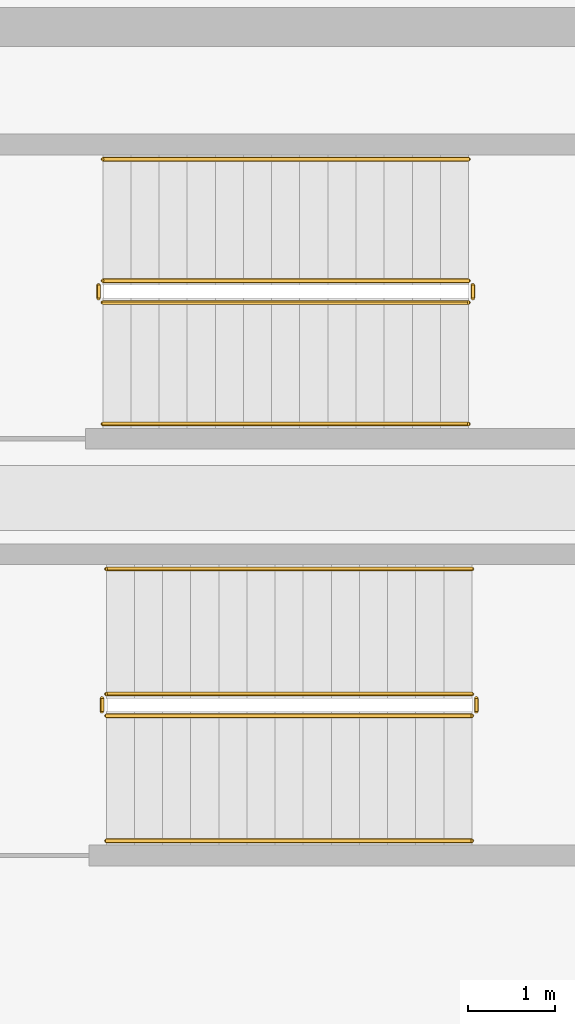
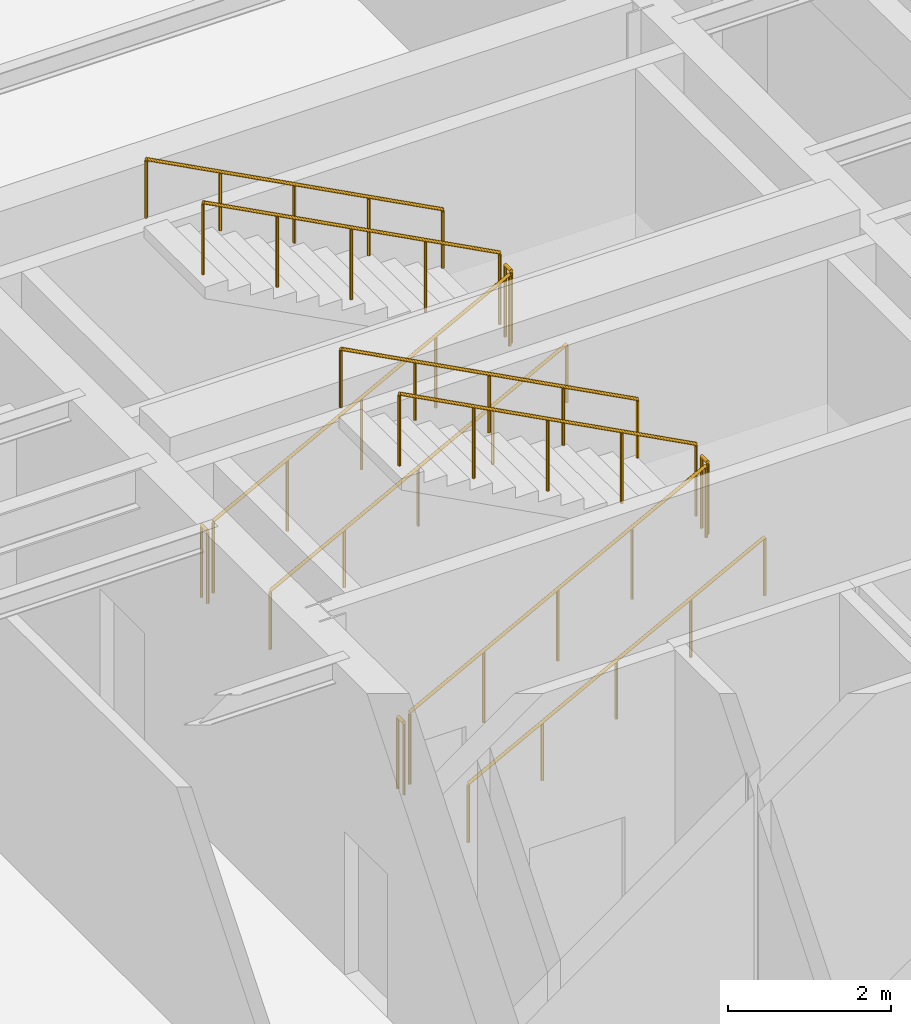
# One storey, part 13 of 13: 12 railings.
"""IFC4 building model written with IfcOpenShell, lengths in metres."""

from ifc_helpers import new_model, si_unit, direction, frame, origin, origin_2d, place, context, subcontext, project, spatial, circle, extrude, material, type_object, element, save


model = new_model("IFC4")

# Units and contexts
model_context = context("Model", 3, precision=1e-05, world=origin(), true_north=direction((0.0, 1.0)))
body_context = subcontext(model_context, "Body", "Model", "MODEL_VIEW")
ifc_project = project(units=[si_unit("LENGTHUNIT", "METRE"), si_unit("AREAUNIT", "SQUARE_METRE"), si_unit("VOLUMEUNIT", "CUBIC_METRE"), si_unit("PLANEANGLEUNIT", "RADIAN"), si_unit("MASSUNIT", "GRAM", prefix="KILO")], contexts=[model_context])

# Site, building, storey
site_placement = place(None, origin())
site = spatial("IfcSite", under=ifc_project, at=site_placement, CompositionType="ELEMENT")
building_placement = place(site_placement, origin())
building = spatial("IfcBuilding", under=site, at=building_placement, Name="Kolvaren Arena Tower", CompositionType="ELEMENT")
storey_placement = place(building_placement, frame((0.0, 0.0, 312.39990234375)))
storey = spatial("IfcBuildingStorey", under=building, at=storey_placement, Name="L77", CompositionType="ELEMENT", Elevation=312.39990234375)

# Railings
ifc_material_1 = material(Name="Painted galvanized steel", Category="steel")
railing_type_1 = type_object("IfcRailingType", Name="GUARD-ST-110", PredefinedType="GUARDRAIL", material=ifc_material_1)
railing_1_placement = place(storey_placement, frame((52.719970703125, 31.639892578125, 0.171630859375)))
element("IfcRailing", 1, at=railing_1_placement, inside=storey, type_object=railing_type_1, Name="L77 ST-E1 stair guard 1", PredefinedType="GUARDRAIL", context=body_context, shape_type="SweptSolid", body=[
    extrude(circle(Radius=0.02392578125, at=origin_2d()), frame((0.0, 0.0, 1.076171875), z_axis=(0.883902544957, 0.0, 0.467671135542), x_axis=(0.0, 1.0, 0.0)), (0.0, 0.0, 1.0), 4.76513671875),
    extrude(circle(Radius=0.02099609375, at=origin_2d()), origin(), (0.0, 0.0, 1.0), 1.052001953125),
    extrude(circle(Radius=0.02099609375, at=origin_2d()), frame((1.052978515625, 0.0, 0.55712890625)), (0.0, 0.0, 1.0), 1.052001953125),
    extrude(circle(Radius=0.02099609375, at=origin_2d()), frame((2.10595703125, 0.0, 1.1142578125)), (0.0, 0.0, 1.0), 1.052001953125),
    extrude(circle(Radius=0.02099609375, at=origin_2d()), frame((3.158935546875, 0.0, 1.67138671875)), (0.0, 0.0, 1.0), 1.052001953125),
    extrude(circle(Radius=0.02099609375, at=origin_2d()), frame((4.2119140625, 0.0, 2.228515625)), (0.0, 0.0, 1.0), 1.052001953125),
])
railing_2_placement = place(storey_placement, frame((56.98193359375, 31.68994140625, 2.400146484375)))
element("IfcRailing", 2, at=railing_2_placement, inside=storey, type_object=railing_type_1, Name="L77 ST-E1 stair guard 2", PredefinedType="GUARDRAIL", context=body_context, shape_type="SweptSolid", body=[
    extrude(circle(Radius=0.02392578125, at=origin_2d()), frame((0.0, 0.0, 1.076171875), z_axis=(0.0, 1.0, 0.0), x_axis=(-1.0, 0.0, 0.0)), (0.0, 0.0, 1.0), 0.150146484375),
    extrude(circle(Radius=0.02099609375, at=origin_2d()), origin(), (0.0, 0.0, 1.0), 1.052001953125),
    extrude(circle(Radius=0.02099609375, at=origin_2d()), frame((0.0, 0.150146484375, 0.0)), (0.0, 0.0, 1.0), 1.052001953125),
])
railing_3_placement = place(storey_placement, frame((56.931884765625, 31.889892578125, 2.571533203125)))
element("IfcRailing", 3, at=railing_3_placement, inside=storey, type_object=railing_type_1, Name="L77 ST-E1 stair guard 3", PredefinedType="GUARDRAIL", context=body_context, shape_type="SweptSolid", body=[
    extrude(circle(Radius=0.02392578125, at=origin_2d()), frame((0.0, 0.0, 1.076171875), z_axis=(-0.883902544957, 0.0, 0.467671135542), x_axis=(0.0, -1.0, 0.0)), (0.0, 0.0, 1.0), 4.76513671875),
    extrude(circle(Radius=0.02099609375, at=origin_2d()), origin(), (0.0, 0.0, 1.0), 1.052001953125),
    extrude(circle(Radius=0.02099609375, at=origin_2d()), frame((-1.052978515625, 0.0, 0.55712890625)), (0.0, 0.0, 1.0), 1.052001953125),
    extrude(circle(Radius=0.02099609375, at=origin_2d()), frame((-2.10595703125, 0.0, 1.1142578125)), (0.0, 0.0, 1.0), 1.052001953125),
    extrude(circle(Radius=0.02099609375, at=origin_2d()), frame((-3.158935546875, 0.0, 1.67138671875)), (0.0, 0.0, 1.0), 1.052001953125),
    extrude(circle(Radius=0.02099609375, at=origin_2d()), frame((-4.2119140625, 0.0, 2.228515625)), (0.0, 0.0, 1.0), 1.052001953125),
])
railing_4_placement = place(storey_placement, frame((52.669921875, 31.68994140625, 0.0)))
element("IfcRailing", 4, at=railing_4_placement, inside=storey, type_object=railing_type_1, Name="L77 ST-E1 stair guard 4", PredefinedType="GUARDRAIL", context=body_context, shape_type="SweptSolid", body=[
    extrude(circle(Radius=0.02392578125, at=origin_2d()), frame((0.0, 0.0, 1.076171875), z_axis=(0.0, 1.0, 0.0), x_axis=(-1.0, 0.0, 0.0)), (0.0, 0.0, 1.0), 0.150146484375),
    extrude(circle(Radius=0.02099609375, at=origin_2d()), origin(), (0.0, 0.0, 1.0), 1.052001953125),
    extrude(circle(Radius=0.02099609375, at=origin_2d()), frame((0.0, 0.150146484375, 0.0)), (0.0, 0.0, 1.0), 1.052001953125),
])
railing_5_placement = place(storey_placement, frame((52.679931640625, 36.39990234375, 0.171630859375)))
element("IfcRailing", 5, at=railing_5_placement, inside=storey, type_object=railing_type_1, Name="L77 ST-E2 stair guard 1", PredefinedType="GUARDRAIL", context=body_context, shape_type="SweptSolid", body=[
    extrude(circle(Radius=0.02392578125, at=origin_2d()), frame((0.0, 0.0, 1.076171875), z_axis=(0.883913750078, 0.0, 0.46764995715), x_axis=(0.0, 1.0, 0.0)), (0.0, 0.0, 1.0), 4.765380859375),
    extrude(circle(Radius=0.02099609375, at=origin_2d()), origin(), (0.0, 0.0, 1.0), 1.052001953125),
    extrude(circle(Radius=0.02099609375, at=origin_2d()), frame((1.052978515625, 0.0, 0.55712890625)), (0.0, 0.0, 1.0), 1.052001953125),
    extrude(circle(Radius=0.02099609375, at=origin_2d()), frame((2.10595703125, 0.0, 1.1142578125)), (0.0, 0.0, 1.0), 1.052001953125),
    extrude(circle(Radius=0.02099609375, at=origin_2d()), frame((3.1591796875, 0.0, 1.67138671875)), (0.0, 0.0, 1.0), 1.052001953125),
    extrude(circle(Radius=0.02099609375, at=origin_2d()), frame((4.212158203125, 0.0, 2.228515625)), (0.0, 0.0, 1.0), 1.052001953125),
])
railing_6_placement = place(storey_placement, frame((56.94189453125, 36.449951171875, 2.400146484375)))
element("IfcRailing", 6, at=railing_6_placement, inside=storey, type_object=railing_type_1, Name="L77 ST-E2 stair guard 2", PredefinedType="GUARDRAIL", context=body_context, shape_type="SweptSolid", body=[
    extrude(circle(Radius=0.02392578125, at=origin_2d()), frame((0.0, 0.0, 1.076171875), z_axis=(0.0, 1.0, 0.0), x_axis=(-1.0, 0.0, 0.0)), (0.0, 0.0, 1.0), 0.150146484375),
    extrude(circle(Radius=0.02099609375, at=origin_2d()), origin(), (0.0, 0.0, 1.0), 1.052001953125),
    extrude(circle(Radius=0.02099609375, at=origin_2d()), frame((0.0, 0.150146484375, 0.0)), (0.0, 0.0, 1.0), 1.052001953125),
])
railing_7_placement = place(storey_placement, frame((56.89208984375, 36.64990234375, 2.571533203125)))
element("IfcRailing", 7, at=railing_7_placement, inside=storey, type_object=railing_type_1, Name="L77 ST-E2 stair guard 3", PredefinedType="GUARDRAIL", context=body_context, shape_type="SweptSolid", body=[
    extrude(circle(Radius=0.02392578125, at=origin_2d()), frame((0.0, 0.0, 1.076171875), z_axis=(-0.883913750078, 0.0, 0.46764995715), x_axis=(0.0, -1.0, 0.0)), (0.0, 0.0, 1.0), 4.765380859375),
    extrude(circle(Radius=0.02099609375, at=origin_2d()), origin(), (0.0, 0.0, 1.0), 1.052001953125),
    extrude(circle(Radius=0.02099609375, at=origin_2d()), frame((-1.052978515625, 0.0, 0.55712890625)), (0.0, 0.0, 1.0), 1.052001953125),
    extrude(circle(Radius=0.02099609375, at=origin_2d()), frame((-2.10595703125, 0.0, 1.1142578125)), (0.0, 0.0, 1.0), 1.052001953125),
    extrude(circle(Radius=0.02099609375, at=origin_2d()), frame((-3.1591796875, 0.0, 1.67138671875)), (0.0, 0.0, 1.0), 1.052001953125),
    extrude(circle(Radius=0.02099609375, at=origin_2d()), frame((-4.212158203125, 0.0, 2.228515625)), (0.0, 0.0, 1.0), 1.052001953125),
])
railing_8_placement = place(storey_placement, frame((52.6298828125, 36.449951171875, 0.0)))
element("IfcRailing", 8, at=railing_8_placement, inside=storey, type_object=railing_type_1, Name="L77 ST-E2 stair guard 4", PredefinedType="GUARDRAIL", context=body_context, shape_type="SweptSolid", body=[
    extrude(circle(Radius=0.02392578125, at=origin_2d()), frame((0.0, 0.0, 1.076171875), z_axis=(0.0, 1.0, 0.0), x_axis=(-1.0, 0.0, 0.0)), (0.0, 0.0, 1.0), 0.150146484375),
    extrude(circle(Radius=0.02099609375, at=origin_2d()), origin(), (0.0, 0.0, 1.0), 1.052001953125),
    extrude(circle(Radius=0.02099609375, at=origin_2d()), frame((0.0, 0.150146484375, 0.0)), (0.0, 0.0, 1.0), 1.052001953125),
])
ifc_material_2 = material(Name="Brushed stainless steel handrail", Category="steel")
railing_type_2 = type_object("IfcRailingType", Name="HRAIL-900", PredefinedType="HANDRAIL", material=ifc_material_2)
railing_9_placement = place(storey_placement, frame((52.719970703125, 30.199951171875, 0.171630859375)))
element("IfcRailing", 9, at=railing_9_placement, inside=storey, type_object=railing_type_2, Name="L77 ST-E1 stair handrail 1", PredefinedType="HANDRAIL", context=body_context, shape_type="SweptSolid", body=[
    extrude(circle(Radius=0.02392578125, at=origin_2d()), frame((0.0, 0.0, 0.8759765625), z_axis=(0.883902544957, 0.0, 0.467671135542), x_axis=(0.0, 1.0, 0.0)), (0.0, 0.0, 1.0), 4.76513671875),
    extrude(circle(Radius=0.02099609375, at=origin_2d()), origin(), (0.0, 0.0, 1.0), 0.851806640625),
    extrude(circle(Radius=0.02099609375, at=origin_2d()), frame((1.052978515625, 0.0, 0.55712890625)), (0.0, 0.0, 1.0), 0.851806640625),
    extrude(circle(Radius=0.02099609375, at=origin_2d()), frame((2.10595703125, 0.0, 1.1142578125)), (0.0, 0.0, 1.0), 0.851806640625),
    extrude(circle(Radius=0.02099609375, at=origin_2d()), frame((3.158935546875, 0.0, 1.67138671875)), (0.0, 0.0, 1.0), 0.851806640625),
    extrude(circle(Radius=0.02099609375, at=origin_2d()), frame((4.2119140625, 0.0, 2.228515625)), (0.0, 0.0, 1.0), 0.851806640625),
])
railing_10_placement = place(storey_placement, frame((56.931884765625, 33.330078125, 2.571533203125)))
element("IfcRailing", 10, at=railing_10_placement, inside=storey, type_object=railing_type_2, Name="L77 ST-E1 stair handrail 2", PredefinedType="HANDRAIL", context=body_context, shape_type="SweptSolid", body=[
    extrude(circle(Radius=0.02392578125, at=origin_2d()), frame((0.0, 0.0, 0.8759765625), z_axis=(-0.883902544957, 0.0, 0.467671135542), x_axis=(0.0, -1.0, 0.0)), (0.0, 0.0, 1.0), 4.76513671875),
    extrude(circle(Radius=0.02099609375, at=origin_2d()), origin(), (0.0, 0.0, 1.0), 0.851806640625),
    extrude(circle(Radius=0.02099609375, at=origin_2d()), frame((-1.052978515625, 0.0, 0.55712890625)), (0.0, 0.0, 1.0), 0.851806640625),
    extrude(circle(Radius=0.02099609375, at=origin_2d()), frame((-2.10595703125, 0.0, 1.1142578125)), (0.0, 0.0, 1.0), 0.851806640625),
    extrude(circle(Radius=0.02099609375, at=origin_2d()), frame((-3.158935546875, 0.0, 1.67138671875)), (0.0, 0.0, 1.0), 0.851806640625),
    extrude(circle(Radius=0.02099609375, at=origin_2d()), frame((-4.2119140625, 0.0, 2.228515625)), (0.0, 0.0, 1.0), 0.851806640625),
])
railing_11_placement = place(storey_placement, frame((52.679931640625, 35.0, 0.171630859375)))
element("IfcRailing", 11, at=railing_11_placement, inside=storey, type_object=railing_type_2, Name="L77 ST-E2 stair handrail 1", PredefinedType="HANDRAIL", context=body_context, shape_type="SweptSolid", body=[
    extrude(circle(Radius=0.02392578125, at=origin_2d()), frame((0.0, 0.0, 0.8759765625), z_axis=(0.883913750078, 0.0, 0.46764995715), x_axis=(0.0, 1.0, 0.0)), (0.0, 0.0, 1.0), 4.765380859375),
    extrude(circle(Radius=0.02099609375, at=origin_2d()), origin(), (0.0, 0.0, 1.0), 0.851806640625),
    extrude(circle(Radius=0.02099609375, at=origin_2d()), frame((1.052978515625, 0.0, 0.55712890625)), (0.0, 0.0, 1.0), 0.851806640625),
    extrude(circle(Radius=0.02099609375, at=origin_2d()), frame((2.10595703125, 0.0, 1.1142578125)), (0.0, 0.0, 1.0), 0.851806640625),
    extrude(circle(Radius=0.02099609375, at=origin_2d()), frame((3.1591796875, 0.0, 1.67138671875)), (0.0, 0.0, 1.0), 0.851806640625),
    extrude(circle(Radius=0.02099609375, at=origin_2d()), frame((4.212158203125, 0.0, 2.228515625)), (0.0, 0.0, 1.0), 0.851806640625),
])
railing_12_placement = place(storey_placement, frame((56.89208984375, 38.050048828125, 2.571533203125)))
element("IfcRailing", 12, at=railing_12_placement, inside=storey, type_object=railing_type_2, Name="L77 ST-E2 stair handrail 2", PredefinedType="HANDRAIL", context=body_context, shape_type="SweptSolid", body=[
    extrude(circle(Radius=0.02392578125, at=origin_2d()), frame((0.0, 0.0, 0.8759765625), z_axis=(-0.883913750078, 0.0, 0.46764995715), x_axis=(0.0, -1.0, 0.0)), (0.0, 0.0, 1.0), 4.765380859375),
    extrude(circle(Radius=0.02099609375, at=origin_2d()), origin(), (0.0, 0.0, 1.0), 0.851806640625),
    extrude(circle(Radius=0.02099609375, at=origin_2d()), frame((-1.052978515625, 0.0, 0.55712890625)), (0.0, 0.0, 1.0), 0.851806640625),
    extrude(circle(Radius=0.02099609375, at=origin_2d()), frame((-2.10595703125, 0.0, 1.1142578125)), (0.0, 0.0, 1.0), 0.851806640625),
    extrude(circle(Radius=0.02099609375, at=origin_2d()), frame((-3.1591796875, 0.0, 1.67138671875)), (0.0, 0.0, 1.0), 0.851806640625),
    extrude(circle(Radius=0.02099609375, at=origin_2d()), frame((-4.212158203125, 0.0, 2.228515625)), (0.0, 0.0, 1.0), 0.851806640625),
])

save(model, "model.ifc")
